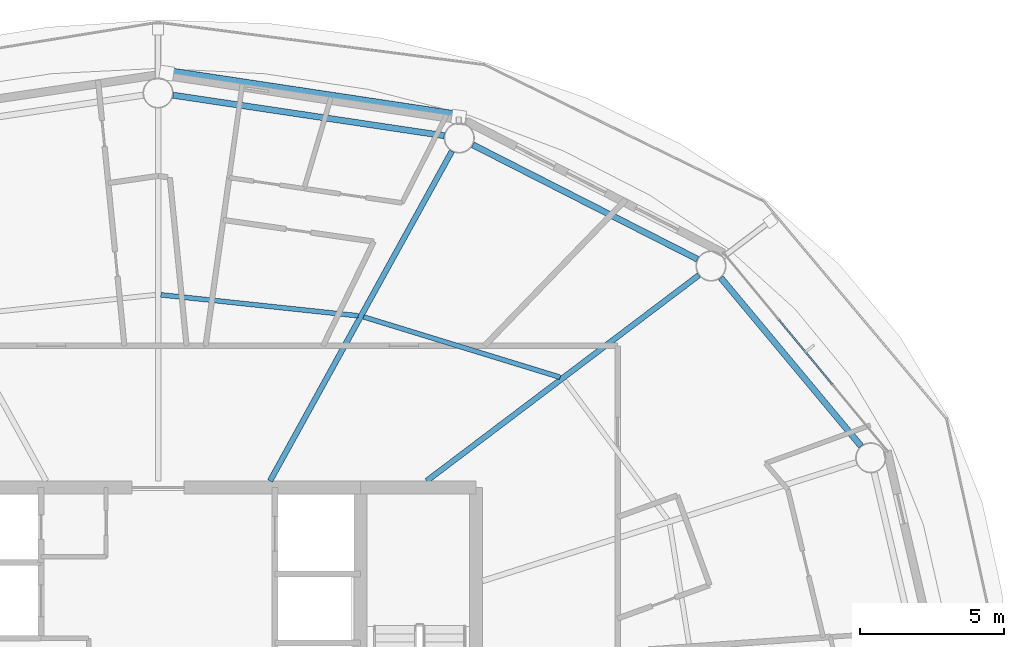
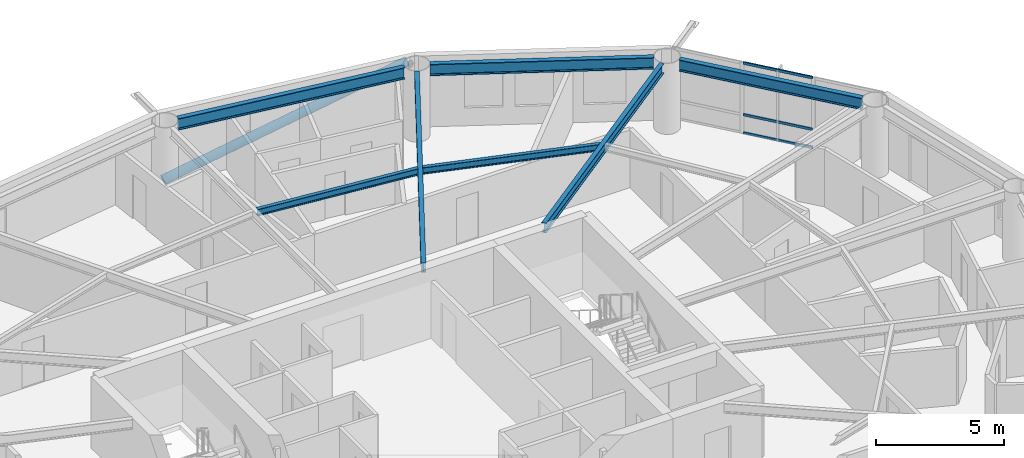
# One storey, part 14 of 27: 7 beams, 4 members, 1 element without a shape of its own.
"""IFC4 building model written with IfcOpenShell, lengths in metres."""

from ifc_helpers import new_model, si_unit, direction, frame, origin, origin_2d, place, context, subcontext, project, spatial, hollow_rectangle, hollow_circle, i_section, extrude, material, layer, layer_set, material_profile, profile_set, type_object, element, aggregate, save


model = new_model("IFC4")

# Units and contexts
model_context = context("Model", 3, precision=1e-05, world=origin(), true_north=direction((0.0, 1.0)))
body_context = subcontext(model_context, "Body", "Model", "MODEL_VIEW")
ifc_project = project(units=[si_unit("LENGTHUNIT", "METRE"), si_unit("AREAUNIT", "SQUARE_METRE"), si_unit("VOLUMEUNIT", "CUBIC_METRE"), si_unit("PLANEANGLEUNIT", "RADIAN"), si_unit("MASSUNIT", "GRAM", prefix="KILO")], contexts=[model_context])

# Site, building, storey
site_placement = place(None, origin())
site = spatial("IfcSite", under=ifc_project, at=site_placement, CompositionType="ELEMENT")
building_placement = place(site_placement, origin())
building = spatial("IfcBuilding", under=site, at=building_placement, Name="Sarneth Arch Tower", CompositionType="ELEMENT")
storey_placement = place(building_placement, frame((0.0, 0.0, 157.800048828125)))
storey = spatial("IfcBuildingStorey", under=building, at=storey_placement, Name="L39", CompositionType="ELEMENT", Elevation=157.800048828125)

# Beams
ifc_material_1 = material(Name="Steel S355", Category="steel")
ifc_material_profile_1 = material_profile(ifc_material_1, i_section(OverallWidth=0.1669921875, OverallDepth=0.31689453125, WebThickness=0.007568359375, FlangeThickness=0.01318359375, FilletRadius=0.012939453125, at=origin_2d()), Name="W310x52")
ifc_profile_set_1 = profile_set([ifc_material_profile_1], Name="Steel S355")
beam_type_1 = type_object("IfcBeamType", Name="BM-JOIST-310B", PredefinedType="JOIST", material=ifc_profile_set_1)
beam_1_placement = place(storey_placement, frame((61.912841796875, 52.61279296875, 3.221435546875), z_axis=(-0.955929549608, 0.293596144707, 0.0), x_axis=(-0.293596144707, -0.955929549608, 0.0)))
element("IfcBeam", 1, at=beam_1_placement, inside=storey, type_object=beam_type_1, Name="L39 Secondary floor joist 03", PredefinedType="JOIST", context=body_context, shape_type="SweptSolid", body=[
    extrude(i_section(OverallWidth=0.1669921875, OverallDepth=0.31689453125, WebThickness=0.007568359375, FlangeThickness=0.01318359375, FilletRadius=0.012939453125, at=origin_2d()), origin(), (0.0, 0.0, 1.0), 7.1123046875),
])
beam_2_placement = place(storey_placement, frame((54.92578125, 54.739501953125, 3.221435546875), z_axis=(-0.994407831942, 0.105608066799, 0.0), x_axis=(-0.105608066799, -0.994407831942, 0.0)))
element("IfcBeam", 2, at=beam_2_placement, inside=storey, type_object=beam_type_1, Name="L39 Secondary floor joist 04", PredefinedType="JOIST", context=body_context, shape_type="SweptSolid", body=[
    extrude(i_section(OverallWidth=0.1669921875, OverallDepth=0.31689453125, WebThickness=0.007568359375, FlangeThickness=0.01318359375, FilletRadius=0.012939453125, at=origin_2d()), origin(), (0.0, 0.0, 1.0), 6.8681640625),
])
ifc_material_2 = material(Name="Steel S355", Category="steel")
ifc_material_profile_2 = material_profile(ifc_material_2, i_section(OverallWidth=0.193115234375, OverallDepth=0.466064453125, WebThickness=0.011474609375, FlangeThickness=0.01904296875, FilletRadius=0.01806640625, at=origin_2d()), Name="W460x97")
ifc_profile_set_2 = profile_set([ifc_material_profile_2], Name="Steel S355")
beam_type_2 = type_object("IfcBeamType", Name="BM-RAD-460C", PredefinedType="BEAM", material=ifc_profile_set_2)
beam_3_placement = place(storey_placement, frame((57.29541015625, 49.02490234375, 3.14697265625), z_axis=(0.797786205076, 0.602940437349, 0.0), x_axis=(-0.602940437349, 0.797786205076, 0.0)))
element("IfcBeam", 3, at=beam_3_placement, inside=storey, type_object=beam_type_2, Name="L39 Radial floor girder 03", PredefinedType="BEAM", context=body_context, shape_type="SweptSolid", body=[
    extrude(i_section(OverallWidth=0.193115234375, OverallDepth=0.466064453125, WebThickness=0.011474609375, FlangeThickness=0.01904296875, FilletRadius=0.01806640625, at=origin_2d()), origin(), (0.0, 0.0, 1.0), 11.806884765625),
])
beam_4_placement = place(storey_placement, frame((51.875, 49.02490234375, 3.14697265625), z_axis=(0.483004525121, 0.87561785541, 0.0), x_axis=(-0.87561785541, 0.483004525121, 0.0)))
element("IfcBeam", 4, at=beam_4_placement, inside=storey, type_object=beam_type_2, Name="L39 Radial floor girder 04", PredefinedType="BEAM", context=body_context, shape_type="SweptSolid", body=[
    extrude(i_section(OverallWidth=0.193115234375, OverallDepth=0.466064453125, WebThickness=0.011474609375, FlangeThickness=0.01904296875, FilletRadius=0.01806640625, at=origin_2d()), origin(), (0.0, 0.0, 1.0), 13.029296875),
])
ifc_material_3 = material(Name="Steel S355", Category="steel")
ifc_material_profile_3 = material_profile(ifc_material_3, i_section(OverallWidth=0.214111328125, OverallDepth=0.549072265625, WebThickness=0.0146484375, FlangeThickness=0.023681640625, FilletRadius=0.01806640625, at=origin_2d()), Name="W530x138")
ifc_profile_set_3 = profile_set([ifc_material_profile_3], Name="Steel S355")
beam_type_3 = type_object("IfcBeamType", Name="BM-RAD-530A", PredefinedType="BEAM", material=ifc_profile_set_3)
beam_5_placement = place(storey_placement, frame((72.326171875, 50.229248046875, 3.10546875), z_axis=(-0.640171737024, 0.768231831621, 0.0), x_axis=(-0.768231831621, -0.640171737024, 0.0)))
element("IfcBeam", 5, at=beam_5_placement, inside=storey, type_object=beam_type_3, Name="L39 Perimeter spandrel beam 02", PredefinedType="BEAM", context=body_context, shape_type="SweptSolid", body=[
    extrude(i_section(OverallWidth=0.214111328125, OverallDepth=0.549072265625, WebThickness=0.0146484375, FlangeThickness=0.023681640625, FilletRadius=0.01806640625, at=origin_2d()), origin(), (0.0, 0.0, 1.0), 7.585693359375),
])
beam_6_placement = place(storey_placement, frame((66.665771484375, 56.698486328125, 3.10546875), z_axis=(-0.891254220899, 0.453504039374, 0.0), x_axis=(-0.453504039374, -0.891254220899, 0.0)))
element("IfcBeam", 6, at=beam_6_placement, inside=storey, type_object=beam_type_3, Name="L39 Perimeter spandrel beam 03", PredefinedType="BEAM", context=body_context, shape_type="SweptSolid", body=[
    extrude(i_section(OverallWidth=0.214111328125, OverallDepth=0.549072265625, WebThickness=0.0146484375, FlangeThickness=0.023681640625, FilletRadius=0.01806640625, at=origin_2d()), origin(), (0.0, 0.0, 1.0), 8.724853515625),
])
beam_7_placement = place(storey_placement, frame((57.902587890625, 60.970947265625, 3.10546875), z_axis=(-0.989027145133, 0.14773390332, 0.0), x_axis=(-0.14773390332, -0.989027145133, 0.0)))
element("IfcBeam", 7, at=beam_7_placement, inside=storey, type_object=beam_type_3, Name="L39 Perimeter spandrel beam 04", PredefinedType="BEAM", context=body_context, shape_type="SweptSolid", body=[
    extrude(i_section(OverallWidth=0.214111328125, OverallDepth=0.549072265625, WebThickness=0.0146484375, FlangeThickness=0.023681640625, FilletRadius=0.01806640625, at=origin_2d()), origin(), (0.0, 0.0, 1.0), 9.4873046875),
])

# Curtain wall, members
ifc_material_4 = material(Name="Anodised aluminium Type AA25 and solar-control low-e laminated IGU", Category="aluminium")
ifc_layer = layer(ifc_material_4, 0.169921875)
ifc_layer_set = layer_set([ifc_layer], Name="Anodised aluminium Type AA25 and solar-control low-e laminated IGU")
curtain_wall_type = type_object("IfcCurtainWallType", Name="CW-RES-MID", PredefinedType="NOTDEFINED", material=ifc_layer_set)
curtain_wall_placement = place(storey_placement, origin())
curtain_wall = element("IfcCurtainWall", 8, at=curtain_wall_placement, inside=storey, type_object=curtain_wall_type, Name="L39 Unitised curtain wall facet 02", PredefinedType="NOTDEFINED")
ifc_material_5 = material(Name="Anodised Aluminium 6063-T6", Category="aluminium")
ifc_material_profile_4 = material_profile(ifc_material_5, hollow_rectangle(XDim=0.06005859375, YDim=0.1201171875, WallThickness=0.00390625, at=origin_2d()), Name="AL-TRAN-120x60x4")
ifc_profile_set_4 = profile_set([ifc_material_profile_4], Name="Anodised Aluminium 6063-T6")
member_type_1 = type_object("IfcMemberType", Name="CW-TRANSOM", PredefinedType="USERDEFINED", material=ifc_profile_set_4)
member_1_placement = place(storey_placement, frame((71.327880859375, 52.36962890625, 0.030029296875), z_axis=(-0.637329777791, 0.770591171985, 0.0), x_axis=(-0.770591171985, -0.637329777791, 0.0)))
member_1 = element("IfcMember", 9, at=member_1_placement, type_object=member_type_1, Name="CW-SYS-5 transom 2.1", ObjectType="TRANSOM", PredefinedType="USERDEFINED", context=body_context, shape_type="SweptSolid", body=[
    extrude(hollow_rectangle(XDim=0.06005859375, YDim=0.1201171875, WallThickness=0.00390625, at=origin_2d()), origin(), (0.0, 0.0, 1.0), 2.898193359375),
])
member_2_placement = place(storey_placement, frame((71.327880859375, 52.36962890625, 0.89990234375), z_axis=(-0.637329777791, 0.770591171985, 0.0), x_axis=(-0.770591171985, -0.637329777791, 0.0)))
member_2 = element("IfcMember", 10, at=member_2_placement, type_object=member_type_1, Name="CW-SYS-5 transom 2.2", ObjectType="TRANSOM", PredefinedType="USERDEFINED", context=body_context, shape_type="SweptSolid", body=[
    extrude(hollow_rectangle(XDim=0.06005859375, YDim=0.1201171875, WallThickness=0.00390625, at=origin_2d()), origin(), (0.0, 0.0, 1.0), 2.898193359375),
])
member_3_placement = place(storey_placement, frame((71.327880859375, 52.36962890625, 3.349853515625), z_axis=(-0.637329777791, 0.770591171985, 0.0), x_axis=(-0.770591171985, -0.637329777791, 0.0)))
member_3 = element("IfcMember", 11, at=member_3_placement, type_object=member_type_1, Name="CW-SYS-5 transom 2.3", ObjectType="TRANSOM", PredefinedType="USERDEFINED", context=body_context, shape_type="SweptSolid", body=[
    extrude(hollow_rectangle(XDim=0.06005859375, YDim=0.1201171875, WallThickness=0.00390625, at=origin_2d()), origin(), (0.0, 0.0, 1.0), 2.898193359375),
])
aggregate(curtain_wall, [member_1, member_2, member_3])

# Member
ifc_material_6 = material(Name="Steel S355", Category="steel")
ifc_material_profile_5 = material_profile(ifc_material_6, hollow_circle(Radius=0.202880859375, WallThickness=0.01611328125, at=origin_2d()), Name="CHS406x16")
ifc_profile_set_5 = profile_set([ifc_material_profile_5], Name="Steel S355")
member_type_2 = type_object("IfcMemberType", Name="MEM-DIAG-BR2", PredefinedType="BRACE", material=ifc_profile_set_5)
member_4_placement = place(storey_placement, frame((48.296630859375, 63.13525390625, 0.02001953125), z_axis=(0.948052912183, -0.142822782379, 0.284248708942), x_axis=(0.148967610144, 0.988842075929, 0.0)))
element("IfcMember", 12, at=member_4_placement, inside=storey, type_object=member_type_2, Name="L39 Perimeter frame diagonal 04", PredefinedType="BRACE", context=body_context, shape_type="SweptSolid", body=[
    extrude(hollow_circle(Radius=0.202880859375, WallThickness=0.01611328125, at=origin_2d()), origin(), (0.0, 0.0, 1.0), 10.66162109375),
])

save(model, "model.ifc")
